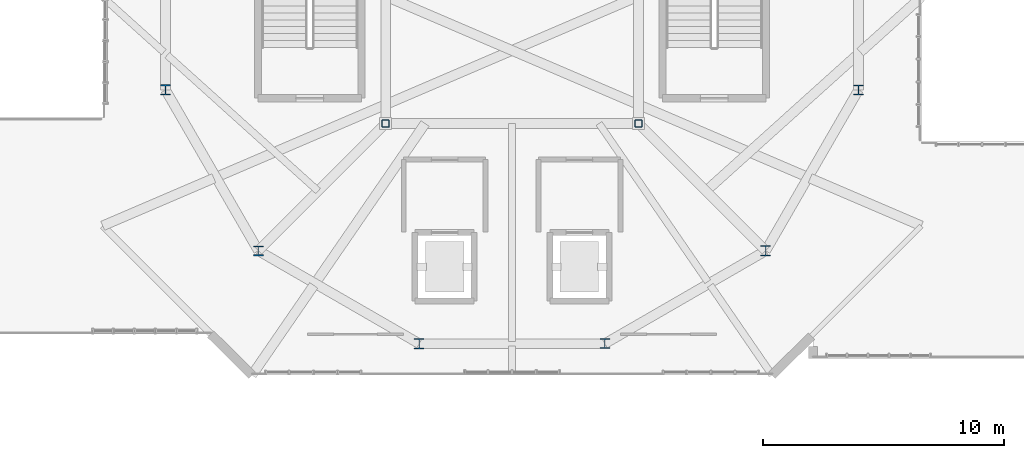
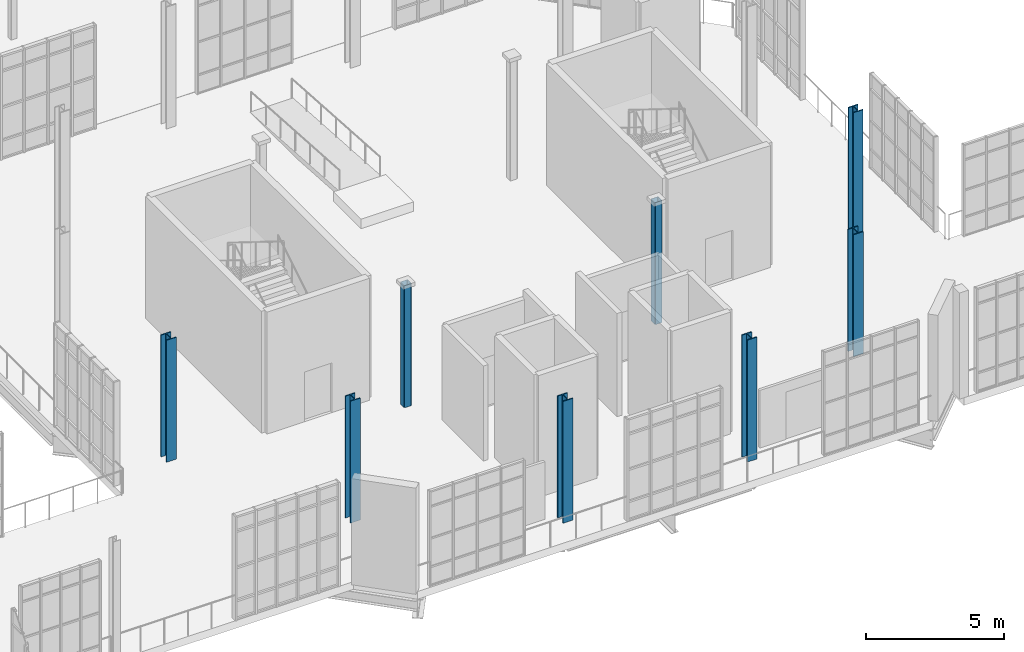
# One storey, part 5 of 189: 8 columns.
"""IFC4 building model written with IfcOpenShell, lengths in metres."""

from ifc_helpers import new_model, si_unit, direction, frame, origin, origin_2d, place, context, subcontext, project, spatial, hollow_rectangle, i_section, extrude, material, material_profile, profile_set, type_object, element, save


model = new_model("IFC4")

# Units and contexts
model_context = context("Model", 3, precision=1e-05, world=origin(), true_north=direction((0.0, 1.0)))
body_context = subcontext(model_context, "Body", "Model", "MODEL_VIEW")
ifc_project = project(units=[si_unit("LENGTHUNIT", "METRE"), si_unit("AREAUNIT", "SQUARE_METRE"), si_unit("VOLUMEUNIT", "CUBIC_METRE"), si_unit("PLANEANGLEUNIT", "RADIAN"), si_unit("MASSUNIT", "GRAM", prefix="KILO"), si_unit("THERMODYNAMICTEMPERATUREUNIT", "KELVIN"), si_unit("POWERUNIT", "WATT")], contexts=[model_context])

# Site, building, storey
site_placement = place(None, origin())
site = spatial("IfcSite", under=ifc_project, at=site_placement, CompositionType="ELEMENT")
building_placement = place(site_placement, origin())
building = spatial("IfcBuilding", under=site, at=building_placement, Name="Zelmaris Science Centre", CompositionType="ELEMENT")
storey_placement = place(building_placement, origin())
storey = spatial("IfcBuildingStorey", under=building, at=storey_placement, Name="L00", CompositionType="ELEMENT", Elevation=0.0)

# Columns
ifc_material_1 = material(Name="Steel ASTM A992 Grade 50", Category="steel")
ifc_material_profile_1 = material_profile(ifc_material_1, i_section(OverallWidth=0.412109375, OverallDepth=0.43408203125, WebThickness=0.035888671875, FlangeThickness=0.044189453125, FilletRadius=0.014892578125, at=origin_2d()), Name="W14X311")
ifc_profile_set_1 = profile_set([ifc_material_profile_1], Name="Steel ASTM A992 Grade 50")
column_type_1 = type_object("IfcColumnType", Name="Column C-01 W14X311", PredefinedType="COLUMN", material=ifc_profile_set_1)
for number, where, z_axis, x_axis, name in (
    (1, (66.607666015625, 32.1435546875, 0.0), (0.0, 0.0, 1.0), (1.0, 0.0, 0.0), "Column V2-MC07 L00"),
    (2, (77.1435546875, 21.607666015625, 0.0), (0.0, 0.0, 1.0), (1.0, 0.0, 0.0), "Column V2-MC09 L00"),
    (3, (91.535888671875, 25.464111328125, 0.0), (0.0, 0.0, 1.0), (1.0, 0.0, 0.0), "Column V2-MC11 L00"),
):
    element("IfcColumn", number, at=place(storey_placement, frame(where, z_axis=z_axis, x_axis=x_axis)), inside=storey, type_object=column_type_1, Name=name, PredefinedType="COLUMN", context=body_context, shape_type="SweptSolid", body=[
        extrude(i_section(OverallWidth=0.412109375, OverallDepth=0.43408203125, WebThickness=0.035888671875, FlangeThickness=0.044189453125, FilletRadius=0.014892578125, at=origin_2d()), origin(), (0.0, 0.0, 1.0), 5.39990234375),
    ])
ifc_material_profile_2 = material_profile(ifc_material_1, i_section(OverallWidth=0.406005859375, OverallDepth=0.4169921875, WebThickness=0.02978515625, FlangeThickness=0.04443359375, FilletRadius=0.014892578125, at=origin_2d()), Name="W14X257")
ifc_profile_set_2 = profile_set([ifc_material_profile_2], Name="Steel ASTM A992 Grade 50")
column_type_2 = type_object("IfcColumnType", Name="Column C-02 W14X257", PredefinedType="COLUMN", material=ifc_profile_set_2)
for number, where, z_axis, x_axis, name in (
    (4, (70.464111328125, 25.464111328125, 0.0), (0.0, 0.0, 1.0), (1.0, 0.0, 0.0), "Column V2-MC08 L00"),
    (5, (84.8564453125, 21.607666015625, 0.0), (0.0, 0.0, 1.0), (1.0, 0.0, 0.0), "Column V2-MC10 L00"),
    (6, (95.392333984375, 32.1435546875, 0.0), (0.0, 0.0, 1.0), (1.0, 0.0, 0.0), "Column V2-MC12 L00"),
):
    element("IfcColumn", number, at=place(storey_placement, frame(where, z_axis=z_axis, x_axis=x_axis)), inside=storey, type_object=column_type_2, Name=name, PredefinedType="COLUMN", context=body_context, shape_type="SweptSolid", body=[
        extrude(i_section(OverallWidth=0.406005859375, OverallDepth=0.4169921875, WebThickness=0.02978515625, FlangeThickness=0.04443359375, FilletRadius=0.014892578125, at=origin_2d()), origin(), (0.0, 0.0, 1.0), 5.39990234375),
    ])
ifc_material_2 = material(Name="Steel ASTM A500 Grade C", Category="steel")
ifc_material_profile_3 = material_profile(ifc_material_2, hollow_rectangle(XDim=0.3046875, YDim=0.3046875, WallThickness=0.0146484375, InnerFilletRadius=0.0146484375, OuterFilletRadius=0.029296875, at=origin_2d()), Name="HSS305X305X16")
ifc_profile_set_3 = profile_set([ifc_material_profile_3], Name="Steel ASTM A500 Grade C")
column_type_3 = type_object("IfcColumnType", Name="Column C-10 HSS305X305X16", PredefinedType="COLUMN", material=ifc_profile_set_3)
for number, where, z_axis, x_axis, name in (
    (7, (75.75, 30.75, 0.0), (0.0, 0.0, 1.0), (1.0, 0.0, 0.0), "Column V2-AC01 L00"),
    (8, (86.25, 30.75, 0.0), (0.0, 0.0, 1.0), (1.0, 0.0, 0.0), "Column V2-AC02 L00"),
):
    element("IfcColumn", number, at=place(storey_placement, frame(where, z_axis=z_axis, x_axis=x_axis)), inside=storey, type_object=column_type_3, Name=name, PredefinedType="COLUMN", context=body_context, shape_type="SweptSolid", body=[
        extrude(hollow_rectangle(XDim=0.3046875, YDim=0.3046875, WallThickness=0.0146484375, InnerFilletRadius=0.0146484375, OuterFilletRadius=0.029296875, at=origin_2d()), origin(), (0.0, 0.0, 1.0), 5.39990234375),
    ])

save(model, "model.ifc")
